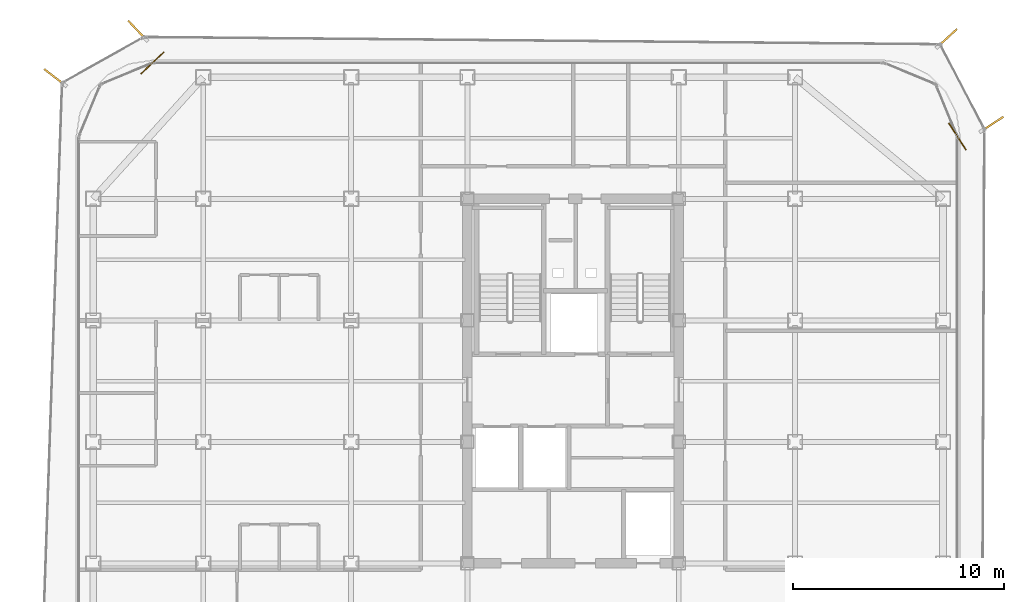
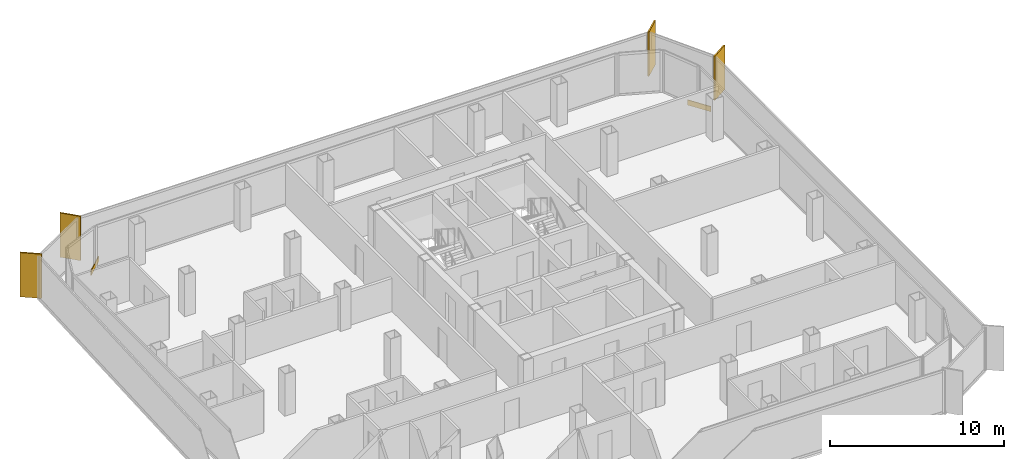
# One storey, part 15 of 15: 4 shading devices, 2 coverings.
"""IFC4 building model written with IfcOpenShell, lengths in metres."""

from ifc_helpers import new_model, si_unit, direction, frame, origin, origin_2d, place, context, subcontext, project, spatial, rectangle, extrude, source, transform, mapped, material, layer, layer_set, type_object, element, save


model = new_model("IFC4")

# Units and contexts
model_context = context("Model", 3, precision=1e-05, world=origin(), true_north=direction((0.0, 1.0)))
body_context = subcontext(model_context, "Body", "Model", "MODEL_VIEW")
ifc_project = project(units=[si_unit("LENGTHUNIT", "METRE"), si_unit("AREAUNIT", "SQUARE_METRE"), si_unit("VOLUMEUNIT", "CUBIC_METRE"), si_unit("PLANEANGLEUNIT", "RADIAN"), si_unit("MASSUNIT", "GRAM", prefix="KILO")], contexts=[model_context])

# Site, building, storey
site_placement = place(None, origin())
site = spatial("IfcSite", under=ifc_project, at=site_placement, CompositionType="ELEMENT")
building_placement = place(site_placement, origin())
building = spatial("IfcBuilding", under=site, at=building_placement, Name="Kolveth Station Tower", CompositionType="ELEMENT")
storey_placement = place(building_placement, frame((0.0, 0.0, 181.699951171875)))
storey = spatial("IfcBuildingStorey", under=building, at=storey_placement, Name="L51", CompositionType="ELEMENT", Elevation=181.699951171875)

# Shading devices
ifc_material_1 = material(Name="Black anodized aluminium 6063-T6", Category="aluminium")
shading_device_type = type_object("IfcShadingDeviceType", Name="FIN_VF1", PredefinedType="USERDEFINED", material=ifc_material_1)
shared_shape_1 = source(origin(), body_context, "Body", "SweptSolid", [
    extrude(rectangle(XDim=1.25, YDim=0.090087890625, at=origin_2d()), origin(), (0.0, 0.0, 1.0), 3.10009765625),
])
for number, where, z_axis, x_axis, name in (
    (1, (43.3369140625, 32.294921875, 0.0), (0.0, 0.0, 1.0), (0.837432663483, 0.54654051463, 0.0), "L51 Dark-Aluminium Solar Fin 3"),
    (2, (41.200927734375, 36.361083984375, 0.0), (0.0, 0.0, 1.0), (0.735269577966, 0.677774776543, 0.0), "L51 Dark-Aluminium Solar Fin 4"),
    (3, (2.8798828125, 36.72509765625, 0.0), (0.0, 0.0, 1.0), (-0.686706983029, 0.726934329537, 0.0), "L51 Dark-Aluminium Solar Fin 5"),
    (4, (-1.02587890625, 34.507080078125, 0.0), (0.0, 0.0, 1.0), (-0.792821793707, 0.609453528518, 0.0), "L51 Dark-Aluminium Solar Fin 6"),
):
    element("IfcShadingDevice", number, at=place(storey_placement, frame(where, z_axis=z_axis, x_axis=x_axis)), inside=storey, type_object=shading_device_type, Name=name, ObjectType="FIN", PredefinedType="USERDEFINED", context=body_context, shape_type="MappedRepresentation", body=[
        mapped(shared_shape_1, transform((0.0, 0.0, 0.0), x_axis=(1.0, 0.0, 0.0), y_axis=(0.0, 1.0, 0.0), z_axis=(0.0, 0.0, 1.0), scale=1.0)),
    ])

# Coverings
ifc_material_2 = material(Name="Charcoal anodized aluminium spandrel cladding", Category="aluminium")
ifc_layer = layer(ifc_material_2, 0.044921875)
ifc_layer_set = layer_set([ifc_layer], Name="Charcoal anodized aluminium spandrel cladding")
covering_type = type_object("IfcCoveringType", Name="Clad_CD1", PredefinedType="CLADDING", material=ifc_layer_set)
shared_shape_2 = source(origin(), body_context, "Body", "SweptSolid", [
    extrude(rectangle(XDim=1.5, YDim=0.044921875, at=origin_2d()), origin(), (0.0, 0.0, 1.0), 0.360107421875),
])
for number, where, z_axis, x_axis, name in (
    (5, (41.679931640625, 31.699951171875, 0.0), (0.0, 0.0, 1.0), (-0.54654051463, 0.837432663483, 0.0), "L51 Spandrel Edge Cladding 3"),
    (6, (3.60009765625, 35.179931640625, 0.0), (0.0, 0.0, 1.0), (-0.726934329537, -0.686706983029, 0.0), "L51 Spandrel Edge Cladding 5"),
):
    element("IfcCovering", number, at=place(storey_placement, frame(where, z_axis=z_axis, x_axis=x_axis)), inside=storey, type_object=covering_type, Name=name, PredefinedType="CLADDING", context=body_context, shape_type="MappedRepresentation", body=[
        mapped(shared_shape_2, transform((0.0, 0.0, 0.0), x_axis=(1.0, 0.0, 0.0), y_axis=(0.0, 1.0, 0.0), z_axis=(0.0, 0.0, 1.0), scale=1.0)),
    ])

save(model, "model.ifc")
